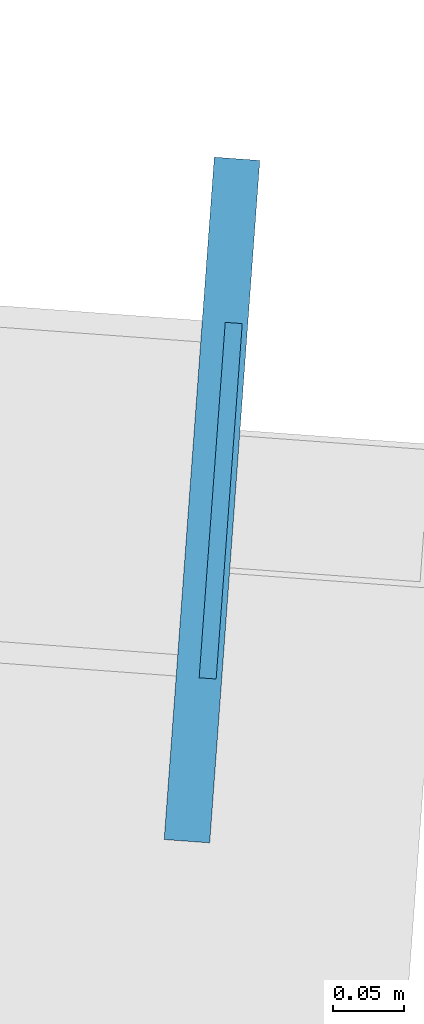
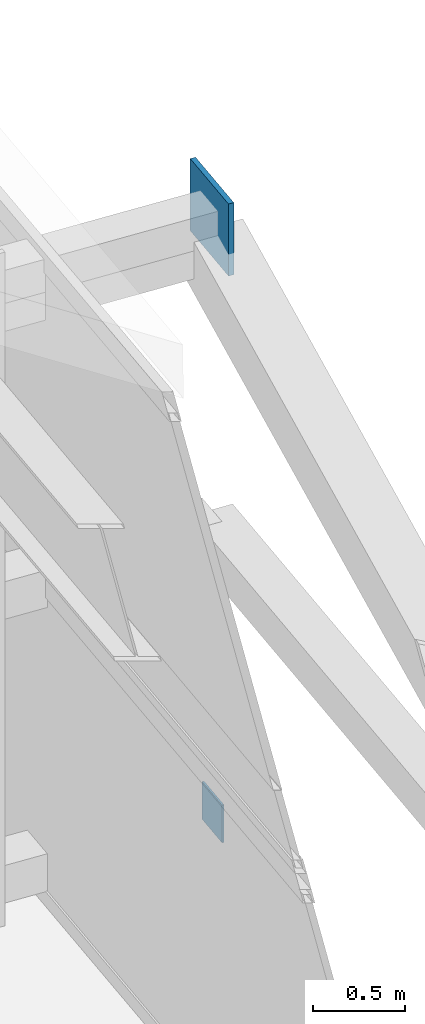
# One storey, part 50 of 56: 2 plates.
"""IFC4 building model written with IfcOpenShell, lengths in metres."""

from ifc_helpers import new_model, si_unit, direction, frame, origin, origin_2d, place, context, subcontext, project, spatial, rectangle, extrude, source, transform, mapped, material, layer, layer_set, type_object, element, save


model = new_model("IFC4")

# Units and contexts
model_context = context("Model", 3, precision=1e-05, world=origin(), true_north=direction((0.0, 1.0)))
body_context = subcontext(model_context, "Body", "Model", "MODEL_VIEW")
ifc_project = project(units=[si_unit("LENGTHUNIT", "METRE"), si_unit("AREAUNIT", "SQUARE_METRE"), si_unit("VOLUMEUNIT", "CUBIC_METRE"), si_unit("PLANEANGLEUNIT", "RADIAN"), si_unit("MASSUNIT", "GRAM", prefix="KILO")], contexts=[model_context])

# Site, building, storey
site_placement = place(None, origin())
site = spatial("IfcSite", under=ifc_project, at=site_placement, CompositionType="ELEMENT")
building_placement = place(site_placement, origin())
building = spatial("IfcBuilding", under=site, at=building_placement, Name="Taldren Reach Tower", CompositionType="ELEMENT")
storey_placement = place(building_placement, frame((0.0, 0.0, 253.050048828125)))
storey = spatial("IfcBuildingStorey", under=building, at=storey_placement, Name="L77", CompositionType="ELEMENT", Elevation=253.050048828125)

# Plates
ifc_material_1 = material(Name="Steel Gr 350 (C350L0)", Category="steel")
ifc_layer_1 = layer(ifc_material_1, 0.011962890625)
ifc_layer_set_1 = layer_set([ifc_layer_1], Name="Steel Gr 350 (C350L0)")
plate_type_1 = type_object("IfcPlateType", Name="PL-CAP-250", PredefinedType="SHEET", material=ifc_layer_set_1)
shared_shape_1 = source(origin(), body_context, "Body", "SweptSolid", [
    extrude(rectangle(XDim=0.011962890625, YDim=0.25, at=origin_2d()), origin(), (0.0, 0.0, 1.0), 0.25),
])
plate_1_placement = place(storey_placement, frame((59.0927734375, 30.0546875, 0.094970703125), z_axis=(0.0, 0.0, 1.0), x_axis=(0.997314477224, -0.073238197128, 0.0)))
element("IfcPlate", 1, at=plate_1_placement, inside=storey, type_object=plate_type_1, Name="Tie strut end cap plate B5-E3 L77", PredefinedType="SHEET", context=body_context, shape_type="MappedRepresentation", body=[
    mapped(shared_shape_1, transform((0.0, 0.0, 0.0), scale=1.0)),
])
ifc_material_2 = material(Name="Steel Gr 450 (C450L0)", Category="steel")
ifc_layer_2 = layer(ifc_material_2, 0.031982421875)
ifc_layer_set_2 = layer_set([ifc_layer_2], Name="Steel Gr 450 (C450L0)")
plate_type_2 = type_object("IfcPlateType", Name="PL-GUSSET-32", PredefinedType="SHEET", material=ifc_layer_set_2)
shared_shape_2 = source(origin(), body_context, "Body", "SweptSolid", [
    extrude(rectangle(XDim=0.47998046875, YDim=0.031982421875, at=origin_2d()), origin(), (0.0, 0.0, 1.0), 0.47998046875),
])
plate_2_placement = place(storey_placement, frame((59.086669921875, 30.05517578125, 3.9462890625), z_axis=(0.0, 0.0, 1.0), x_axis=(0.073238197128, 0.997314477224, 0.0)))
element("IfcPlate", 2, at=plate_2_placement, inside=storey, type_object=plate_type_2, Name="Exoskeleton star-node gusset plate B5-E3 L77", PredefinedType="SHEET", context=body_context, shape_type="MappedRepresentation", body=[
    mapped(shared_shape_2, transform((0.0, 0.0, 0.0), scale=1.0)),
])

save(model, "model.ifc")
